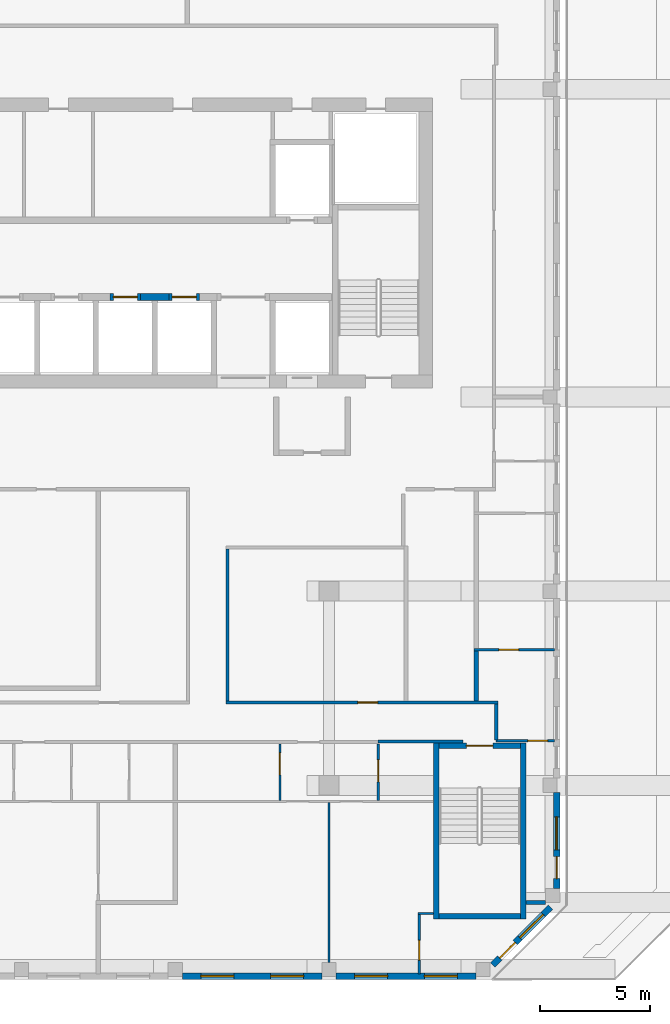
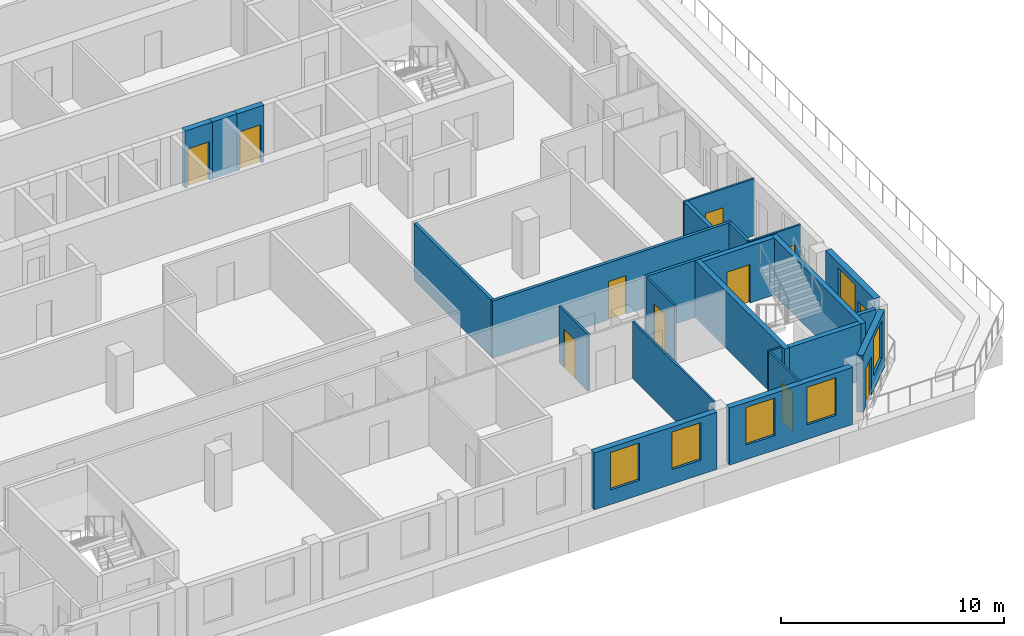
# One storey, part 5 of 13: 24 walls, 11 doors, 6 windows, 17 openings.
"""IFC4 building model written with IfcOpenShell, lengths in metres."""

from ifc_helpers import new_model, si_unit, direction, frame, frame_2d, origin, place, context, subcontext, project, spatial, rectangle, extrude, source, transform, mapped, material, layer, layer_set, type_object, element, fill, save


model = new_model("IFC4")

# Units and contexts
model_context = context("Model", 3, precision=1e-05, world=origin(), true_north=direction((0.0, 1.0)))
body_context = subcontext(model_context, "Body", "Model", "MODEL_VIEW")
ifc_project = project(units=[si_unit("LENGTHUNIT", "METRE"), si_unit("AREAUNIT", "SQUARE_METRE"), si_unit("VOLUMEUNIT", "CUBIC_METRE"), si_unit("PLANEANGLEUNIT", "RADIAN"), si_unit("MASSUNIT", "GRAM", prefix="KILO")], contexts=[model_context])

# Site, building, storey
site_placement = place(None, origin())
site = spatial("IfcSite", under=ifc_project, at=site_placement, CompositionType="ELEMENT")
building_placement = place(site_placement, origin())
building = spatial("IfcBuilding", under=site, at=building_placement, Name="Kilnfold Tower and Market Hall", CompositionType="ELEMENT")
storey_placement = place(building_placement, frame((0.0, 0.0, 267.0)))
storey = spatial("IfcBuildingStorey", under=building, at=storey_placement, Name="L65", CompositionType="ELEMENT", Elevation=267.0)

# Walls
ifc_material_1 = material(Name="Gypsum board on steel studs", Category="steel")
ifc_layer_1 = layer(ifc_material_1, 0.14990234375)
ifc_layer_set_1 = layer_set([ifc_layer_1], Name="Gypsum board on steel studs")
wall_type_1 = type_object("IfcWallType", Name="WALL CORRIDOR 150", PredefinedType="PARTITIONING", material=ifc_layer_set_1)
wall_1_placement = place(storey_placement, frame((15.22998046875, -7.669921875, 0.0), z_axis=(0.0, 0.0, 1.0), x_axis=(1.0, 0.0, 0.0)))
element("IfcWall", 1, at=wall_1_placement, inside=storey, type_object=wall_type_1, Name="Partition LY41.16", PredefinedType="PARTITIONING", context=body_context, shape_type="SweptSolid", body=[
    extrude(rectangle(XDim=3.8701171875, YDim=0.14990234375, at=frame_2d((1.93505859375, 0.0))), origin(), (0.0, 0.0, 1.0), 3.1201171875),
])
wall_2_placement = place(storey_placement, frame((20.60009765625, -7.60009765625, 0.0), z_axis=(0.0, 0.0, 1.0), x_axis=(0.0, 1.0, 0.0)))
element("IfcWall", 2, at=wall_2_placement, inside=storey, type_object=wall_type_1, Name="Partition LY41.17", PredefinedType="PARTITIONING", context=body_context, shape_type="SweptSolid", body=[
    extrude(rectangle(XDim=1.625, YDim=0.14990234375, at=frame_2d((0.8125, 0.0))), origin(), (0.0, 0.0, 1.0), 3.1201171875),
])
wall_3_placement = place(storey_placement, frame((8.3798828125, -5.824951171875, 0.0), z_axis=(0.0, 0.0, 1.0), x_axis=(0.0, 1.0, 0.0)))
element("IfcWall", 3, at=wall_3_placement, inside=storey, type_object=wall_type_1, Name="Partition LY41.34", PredefinedType="PARTITIONING", context=body_context, shape_type="SweptSolid", body=[
    extrude(rectangle(XDim=6.89990234375, YDim=0.14990234375, at=frame_2d((3.449951171875, 0.0))), origin(), (0.0, 0.0, 1.0), 3.1201171875),
])

# Wall, opening, door
wall_4_placement = place(storey_placement, frame((8.304931640625, -5.89990234375, 0.0), z_axis=(0.0, 0.0, 1.0), x_axis=(1.0, 0.0, 0.0)))
wall_4 = element("IfcWall", 4, at=wall_4_placement, inside=storey, type_object=wall_type_1, Name="Partition LY41.35", PredefinedType="PARTITIONING", context=body_context, shape_type="SweptSolid", body=[
    extrude(rectangle(XDim=12.3701171875, YDim=0.14990234375, at=frame_2d((6.18505859375, 0.0))), origin(), (0.0, 0.0, 1.0), 3.1201171875),
])
opening_1_placement = place(wall_4_placement, frame((6.00390625, 0.0, 0.0)))
opening_1 = element("IfcOpeningElement", 5, at=opening_1_placement, cuts=wall_4, Name="Opening D2", PredefinedType="OPENING", context=body_context, shape_type="SweptSolid", body=[
    extrude(rectangle(XDim=0.89990234375, YDim=2.10009765625, at=frame_2d((0.449951171875, 1.050048828125))), frame((0.0, 0.0849609375, 0.0), z_axis=(0.0, -1.0, 0.0), x_axis=(1.0, 0.0, 0.0)), (0.0, 0.0, 1.0), 0.169921875),
])
ifc_material_2 = material(Name="Timber veneer door leaf in steel frame", Category="steel")
door_type_1 = type_object("IfcDoorType", Name="DOOR ROOM 900 X2100", OperationType="NOTDEFINED", PredefinedType="DOOR", material=ifc_material_2)
door_1_placement = place(opening_1_placement, origin())
door_1 = element("IfcDoor", 6, at=door_1_placement, inside=storey, type_object=door_type_1, Name="Door D2", OperationType="SINGLE_SWING_RIGHT", OverallHeight=2.10009765625, OverallWidth=0.89990234375, PredefinedType="DOOR", context=body_context, shape_type="SweptSolid", body=[
    extrude(rectangle(XDim=0.89990234375, YDim=2.10009765625, at=frame_2d((0.449951171875, 1.050048828125))), frame((0.0, 0.02490234375, 0.0), z_axis=(0.0, -1.0, 0.0), x_axis=(1.0, 0.0, 0.0)), (0.0, 0.0, 1.0), 0.050048828125),
])
fill(opening_1, door_1)

ifc_material_3 = material(Name="Gypsum board on steel studs", Category="steel")
ifc_layer_2 = layer(ifc_material_3, 0.10009765625)
ifc_layer_set_2 = layer_set([ifc_layer_2], Name="Gypsum board on steel studs")
wall_type_2 = type_object("IfcWallType", Name="WALL PARTITION 100", PredefinedType="PARTITIONING", material=ifc_layer_set_2)
wall_5_placement = place(storey_placement, frame((10.760009765625, -10.35009765625, 0.0), z_axis=(0.0, 0.0, 1.0), x_axis=(0.0, 1.0, 0.0)))
wall_5 = element("IfcWall", 7, at=wall_5_placement, inside=storey, type_object=wall_type_2, Name="Partition LY41.66", PredefinedType="PARTITIONING", context=body_context, shape_type="SweptSolid", body=[
    extrude(rectangle(XDim=2.572998046875, YDim=0.10009765625, at=frame_2d((1.28662109375, 0.0))), origin(), (0.0, 0.0, 1.0), 3.1201171875),
])
opening_2_placement = place(wall_5_placement, frame((1.159912109375, 0.0, 0.0)))
opening_2 = element("IfcOpeningElement", 8, at=opening_2_placement, cuts=wall_5, Name="Opening D1", PredefinedType="OPENING", context=body_context, shape_type="SweptSolid", body=[
    extrude(rectangle(XDim=1.0, YDim=2.10009765625, at=frame_2d((0.5, 1.050048828125))), frame((0.0, 0.06005859375, 0.0), z_axis=(0.0, -1.0, 0.0), x_axis=(1.0, 0.0, 0.0)), (0.0, 0.0, 1.0), 0.1201171875),
])
ifc_material_4 = material(Name="Timber veneer door leaf in steel frame", Category="steel")
door_type_2 = type_object("IfcDoorType", Name="DOOR ENTRY 1000 X2100", OperationType="NOTDEFINED", PredefinedType="DOOR", material=ifc_material_4)
door_2_placement = place(opening_2_placement, origin())
door_2 = element("IfcDoor", 9, at=door_2_placement, inside=storey, type_object=door_type_2, Name="Door D1", OperationType="SINGLE_SWING_LEFT", OverallHeight=2.10009765625, OverallWidth=1.0, PredefinedType="DOOR", context=body_context, shape_type="SweptSolid", body=[
    extrude(rectangle(XDim=1.0, YDim=2.10009765625, at=frame_2d((0.5, 1.050048828125))), frame((0.0, 0.02490234375, 0.0), z_axis=(0.0, -1.0, 0.0), x_axis=(1.0, 0.0, 0.0)), (0.0, 0.0, 1.0), 0.050048828125),
])
fill(opening_2, door_2)

wall_6_placement = place(storey_placement, frame((15.239990234375, -10.35009765625, 0.0), z_axis=(0.0, 0.0, 1.0), x_axis=(0.0, 1.0, 0.0)))
wall_6 = element("IfcWall", 10, at=wall_6_placement, inside=storey, type_object=wall_type_2, Name="Partition LY41.67", PredefinedType="PARTITIONING", context=body_context, shape_type="SweptSolid", body=[
    extrude(rectangle(XDim=2.572998046875, YDim=0.10009765625, at=frame_2d((1.28662109375, 0.0))), origin(), (0.0, 0.0, 1.0), 3.1201171875),
])
opening_3_placement = place(wall_6_placement, frame((0.840087890625, 0.0, 0.0)))
opening_3 = element("IfcOpeningElement", 11, at=opening_3_placement, cuts=wall_6, Name="Opening D1", PredefinedType="OPENING", context=body_context, shape_type="SweptSolid", body=[
    extrude(rectangle(XDim=1.0, YDim=2.10009765625, at=frame_2d((0.5, 1.050048828125))), frame((0.0, 0.06005859375, 0.0), z_axis=(0.0, -1.0, 0.0), x_axis=(1.0, 0.0, 0.0)), (0.0, 0.0, 1.0), 0.1201171875),
])
door_3_placement = place(opening_3_placement, origin())
door_3 = element("IfcDoor", 12, at=door_3_placement, inside=storey, type_object=door_type_2, Name="Door D1", OperationType="SINGLE_SWING_LEFT", OverallHeight=2.10009765625, OverallWidth=1.0, PredefinedType="DOOR", context=body_context, shape_type="SweptSolid", body=[
    extrude(rectangle(XDim=1.0, YDim=2.10009765625, at=frame_2d((0.5, 1.050048828125))), frame((0.0, 0.02490234375, 0.0), z_axis=(0.0, -1.0, 0.0), x_axis=(1.0, 0.0, 0.0)), (0.0, 0.0, 1.0), 0.050048828125),
])
fill(opening_3, door_3)

# Walls
wall_7_placement = place(storey_placement, frame((13.0, -17.72509765625, 0.0), z_axis=(0.0, 0.0, 1.0), x_axis=(0.0, 1.0, 0.0)))
element("IfcWall", 13, at=wall_7_placement, inside=storey, type_object=wall_type_2, Name="Partition LY41.68", PredefinedType="PARTITIONING", context=body_context, shape_type="SweptSolid", body=[
    extrude(rectangle(XDim=7.273193359375, YDim=0.10009765625, at=frame_2d((3.63671875, 0.0))), origin(), (0.0, 0.0, 1.0), 3.1201171875),
])
wall_8_placement = place(storey_placement, frame((17.050048828125, -15.5, 0.0), z_axis=(0.0, 0.0, 1.0), x_axis=(1.0, 0.0, 0.0)))
element("IfcWall", 14, at=wall_8_placement, inside=storey, type_object=wall_type_2, Name="Partition LY41.69", PredefinedType="PARTITIONING", context=body_context, shape_type="SweptSolid", body=[
    extrude(rectangle(XDim=0.699951171875, YDim=0.10009765625, at=frame_2d((0.35009765625, 0.0))), origin(), (0.0, 0.0, 1.0), 3.1201171875),
])

# Wall, opening, door
wall_9_placement = place(storey_placement, frame((17.10009765625, -18.25, 0.0), z_axis=(0.0, 0.0, 1.0), x_axis=(0.0, 1.0, 0.0)))
wall_9 = element("IfcWall", 15, at=wall_9_placement, inside=storey, type_object=wall_type_2, Name="Partition LY41.70", PredefinedType="PARTITIONING", context=body_context, shape_type="SweptSolid", body=[
    extrude(rectangle(XDim=2.699951171875, YDim=0.10009765625, at=frame_2d((1.35009765625, 0.0))), origin(), (0.0, 0.0, 1.0), 3.1201171875),
])
opening_4_placement = place(wall_9_placement, frame((0.631103515625, 0.0, 0.0)))
opening_4 = element("IfcOpeningElement", 16, at=opening_4_placement, cuts=wall_9, Name="Opening D2", PredefinedType="OPENING", context=body_context, shape_type="SweptSolid", body=[
    extrude(rectangle(XDim=0.89990234375, YDim=2.10009765625, at=frame_2d((0.449951171875, 1.050048828125))), frame((0.0, 0.06005859375, 0.0), z_axis=(0.0, -1.0, 0.0), x_axis=(1.0, 0.0, 0.0)), (0.0, 0.0, 1.0), 0.1201171875),
])
door_4_placement = place(opening_4_placement, origin())
door_4 = element("IfcDoor", 17, at=door_4_placement, inside=storey, type_object=door_type_1, Name="Door D2", OperationType="SINGLE_SWING_LEFT", OverallHeight=2.10009765625, OverallWidth=0.89990234375, PredefinedType="DOOR", context=body_context, shape_type="SweptSolid", body=[
    extrude(rectangle(XDim=0.89990234375, YDim=2.10009765625, at=frame_2d((0.449951171875, 1.050048828125))), frame((0.0, 0.02490234375, 0.0), z_axis=(0.0, -1.0, 0.0), x_axis=(1.0, 0.0, 0.0)), (0.0, 0.0, 1.0), 0.050048828125),
])
fill(opening_4, door_4)

wall_10_placement = place(storey_placement, frame((23.25, -7.639892578125, 0.0), z_axis=(0.0, 0.0, 1.0), x_axis=(-1.0, 0.0, 0.0)))
wall_10 = element("IfcWall", 18, at=wall_10_placement, inside=storey, type_object=wall_type_2, Name="Partition LY41.72", PredefinedType="PARTITIONING", context=body_context, shape_type="SweptSolid", body=[
    extrude(rectangle(XDim=2.64990234375, YDim=0.10009765625, at=frame_2d((1.324951171875, 0.0))), origin(), (0.0, 0.0, 1.0), 3.1201171875),
])
opening_5_placement = place(wall_10_placement, frame((0.303955078125, 0.0, 0.0)))
opening_5 = element("IfcOpeningElement", 19, at=opening_5_placement, cuts=wall_10, Name="Opening D2", PredefinedType="OPENING", context=body_context, shape_type="SweptSolid", body=[
    extrude(rectangle(XDim=0.89990234375, YDim=2.10009765625, at=frame_2d((0.449951171875, 1.050048828125))), frame((0.0, 0.06005859375, 0.0), z_axis=(0.0, -1.0, 0.0), x_axis=(1.0, 0.0, 0.0)), (0.0, 0.0, 1.0), 0.1201171875),
])
door_5_placement = place(opening_5_placement, origin())
door_5 = element("IfcDoor", 20, at=door_5_placement, inside=storey, type_object=door_type_1, Name="Door D2", OperationType="SINGLE_SWING_LEFT", OverallHeight=2.10009765625, OverallWidth=0.89990234375, PredefinedType="DOOR", context=body_context, shape_type="SweptSolid", body=[
    extrude(rectangle(XDim=0.89990234375, YDim=2.10009765625, at=frame_2d((0.449951171875, 1.050048828125))), frame((0.0, 0.02490234375, 0.0), z_axis=(0.0, -1.0, 0.0), x_axis=(1.0, 0.0, 0.0)), (0.0, 0.0, 1.0), 0.050048828125),
])
fill(opening_5, door_5)

wall_11_placement = place(storey_placement, frame((23.25, -3.5, 0.0), z_axis=(0.0, 0.0, 1.0), x_axis=(-1.0, 0.0, 0.0)))
wall_11 = element("IfcWall", 21, at=wall_11_placement, inside=storey, type_object=wall_type_2, Name="Partition LY41.73", PredefinedType="PARTITIONING", context=body_context, shape_type="SweptSolid", body=[
    extrude(rectangle(XDim=3.64990234375, YDim=0.10009765625, at=frame_2d((1.824951171875, 0.0))), origin(), (0.0, 0.0, 1.0), 3.1201171875),
])
opening_6_placement = place(wall_11_placement, frame((1.6298828125, 0.0, 0.0)))
opening_6 = element("IfcOpeningElement", 22, at=opening_6_placement, cuts=wall_11, Name="Opening D2", PredefinedType="OPENING", context=body_context, shape_type="SweptSolid", body=[
    extrude(rectangle(XDim=0.89990234375, YDim=2.10009765625, at=frame_2d((0.449951171875, 1.050048828125))), frame((0.0, 0.06005859375, 0.0), z_axis=(0.0, -1.0, 0.0), x_axis=(1.0, 0.0, 0.0)), (0.0, 0.0, 1.0), 0.1201171875),
])
door_6_placement = place(opening_6_placement, origin())
door_6 = element("IfcDoor", 23, at=door_6_placement, inside=storey, type_object=door_type_1, Name="Door D2", OperationType="SINGLE_SWING_RIGHT", OverallHeight=2.10009765625, OverallWidth=0.89990234375, PredefinedType="DOOR", context=body_context, shape_type="SweptSolid", body=[
    extrude(rectangle(XDim=0.89990234375, YDim=2.10009765625, at=frame_2d((0.449951171875, 1.050048828125))), frame((0.0, 0.02490234375, 0.0), z_axis=(0.0, -1.0, 0.0), x_axis=(1.0, 0.0, 0.0)), (0.0, 0.0, 1.0), 0.050048828125),
])
fill(opening_6, door_6)

# Walls
ifc_material_5 = material(Name="Gypsum board on steel studs", Category="steel")
ifc_layer_3 = layer(ifc_material_5, 0.199951171875)
ifc_layer_set_3 = layer_set([ifc_layer_3], Name="Gypsum board on steel studs")
wall_type_3 = type_object("IfcWallType", Name="WALL PARTY 200", PredefinedType="PARTITIONING", material=ifc_layer_set_3)
wall_12_placement = place(storey_placement, frame((21.949951171875, -15.0, 0.0), z_axis=(0.0, 0.0, 1.0), x_axis=(1.0, 0.0, 0.0)))
element("IfcWall", 24, at=wall_12_placement, inside=storey, type_object=wall_type_3, Name="Partition LY41.71", PredefinedType="PARTITIONING", context=body_context, shape_type="SweptSolid", body=[
    extrude(rectangle(XDim=0.906982421875, YDim=0.199951171875, at=frame_2d((0.45361328125, 0.0))), origin(), (0.0, 0.0, 1.0), 3.1201171875),
])
wall_13_placement = place(storey_placement, frame((19.699951171875, -5.822998046875, 0.0), z_axis=(0.0, 0.0, 1.0), x_axis=(0.0, 1.0, 0.0)))
element("IfcWall", 25, at=wall_13_placement, inside=storey, type_object=wall_type_3, Name="Partition LY41.74", PredefinedType="PARTITIONING", context=body_context, shape_type="SweptSolid", body=[
    extrude(rectangle(XDim=2.27294921875, YDim=0.199951171875, at=frame_2d((1.136474609375, 0.0))), origin(), (0.0, 0.0, 1.0), 3.1201171875),
])
ifc_material_6 = material(Name="Concrete C50", Category="concrete")
ifc_layer_4 = layer(ifc_material_6, 0.25)
ifc_layer_set_4 = layer_set([ifc_layer_4], Name="Concrete C50")
wall_type_4 = type_object("IfcWallType", Name="CORE WALL 250 C50", PredefinedType="SHEAR", material=ifc_layer_set_4)
shared_shape_1 = source(origin(), body_context, "Body", "SweptSolid", [
    extrude(rectangle(XDim=3.699951171875, YDim=0.25, at=frame_2d((1.85009765625, 0.0))), origin(), (0.0, 0.0, 1.0), 3.1201171875),
])
wall_14_placement = place(storey_placement, frame((18.0, -15.625, 0.0), z_axis=(0.0, 0.0, 1.0), x_axis=(1.0, 0.0, 0.0)))
element("IfcWall", 26, at=wall_14_placement, inside=storey, type_object=wall_type_4, Name="Stair enclosure ST4", PredefinedType="SHEAR", context=body_context, shape_type="MappedRepresentation", body=[
    mapped(shared_shape_1, transform((0.0, 0.0, 0.0))),
])

# Wall, opening, door
wall_15_placement = place(storey_placement, frame((18.0, -7.875, 0.0), z_axis=(0.0, 0.0, 1.0), x_axis=(1.0, 0.0, 0.0)))
wall_15 = element("IfcWall", 27, at=wall_15_placement, inside=storey, type_object=wall_type_4, Name="Stair enclosure ST4", PredefinedType="SHEAR", context=body_context, shape_type="MappedRepresentation", body=[
    mapped(shared_shape_1, transform((0.0, 0.0, 0.0))),
])
opening_7_placement = place(wall_15_placement, frame((1.25, 0.0, 0.0)))
opening_7 = element("IfcOpeningElement", 28, at=opening_7_placement, cuts=wall_15, Name="Opening SD1", PredefinedType="OPENING", context=body_context, shape_type="SweptSolid", body=[
    extrude(rectangle(XDim=1.199951171875, YDim=2.10009765625, at=frame_2d((0.60009765625, 1.050048828125))), frame((0.0, 0.135009765625, 0.0), z_axis=(0.0, -1.0, 0.0), x_axis=(1.0, 0.0, 0.0)), (0.0, 0.0, 1.0), 0.27001953125),
])
ifc_material_7 = material(Name="Steel door set with fire-resisting leaf", Category="steel")
door_type_3 = type_object("IfcDoorType", Name="STAIR FLOOR DOOR 1200X2100", OperationType="NOTDEFINED", PredefinedType="DOOR", material=ifc_material_7)
door_7_placement = place(opening_7_placement, origin())
door_7 = element("IfcDoor", 29, at=door_7_placement, inside=storey, type_object=door_type_3, Name="Exit stair ST4 door", OperationType="DOUBLE_DOOR_SINGLE_SWING", OverallHeight=2.10009765625, OverallWidth=1.199951171875, PredefinedType="DOOR", context=body_context, shape_type="SweptSolid", body=[
    extrude(rectangle(XDim=1.199951171875, YDim=2.10009765625, at=frame_2d((0.60009765625, 1.050048828125))), frame((0.0, 0.02490234375, 0.0), z_axis=(0.0, -1.0, 0.0), x_axis=(1.0, 0.0, 0.0)), (0.0, 0.0, 1.0), 0.050048828125),
])
fill(opening_7, door_7)

# Walls
shared_shape_2 = source(origin(), body_context, "Body", "SweptSolid", [
    extrude(rectangle(XDim=8.0, YDim=0.25, at=frame_2d((4.0, 0.0))), origin(), (0.0, 0.0, 1.0), 3.1201171875),
])
for number, where, z_axis, x_axis, name in (
    (30, (17.875, -15.75, 0.0), (0.0, 0.0, 1.0), (0.0, 1.0, 0.0), "Stair enclosure ST4"),
    (31, (21.824951171875, -15.75, 0.0), (0.0, 0.0, 1.0), (0.0, 1.0, 0.0), "Stair enclosure ST4"),
):
    element("IfcWall", number, at=place(storey_placement, frame(where, z_axis=z_axis, x_axis=x_axis)), inside=storey, type_object=wall_type_4, Name=name, PredefinedType="SHEAR", context=body_context, shape_type="MappedRepresentation", body=[
        mapped(shared_shape_2, transform((0.0, 0.0, 0.0))),
    ])
ifc_material_8 = material(Name="Concrete C50", Category="concrete")
ifc_layer_5 = layer(ifc_material_8, 0.300048828125)
ifc_layer_set_5 = layer_set([ifc_layer_5], Name="Concrete C50")
wall_type_5 = type_object("IfcWallType", Name="CORE WALL 300 C50", PredefinedType="SHEAR", material=ifc_layer_set_5)
shared_shape_3 = source(origin(), body_context, "Body", "SweptSolid", [
    extrude(rectangle(XDim=1.280029296875, YDim=0.300048828125, at=frame_2d((0.64013671875, 0.0))), origin(), (0.0, 0.0, 1.0), 3.1201171875),
])
wall_16_placement = place(storey_placement, frame((4.429931640625, 12.550048828125, 0.0), z_axis=(0.0, 0.0, 1.0), x_axis=(1.0, 0.0, 0.0)))
element("IfcWall", 32, at=wall_16_placement, inside=storey, type_object=wall_type_5, Name="Core spine wall", PredefinedType="SHEAR", context=body_context, shape_type="MappedRepresentation", body=[
    mapped(shared_shape_3, transform((0.0, 0.0, 0.0))),
])

# Wall, openings, windows
ifc_material_9 = material(Name="Precast concrete C50/60", Category="concrete")
ifc_layer_6 = layer(ifc_material_9, 0.300048828125)
ifc_layer_set_6 = layer_set([ifc_layer_6], Name="Precast concrete C50/60")
wall_type_6 = type_object("IfcWallType", Name="PRECAST WALL 300", PredefinedType="SOLIDWALL", material=ifc_layer_set_6)
shared_shape_4 = source(origin(), body_context, "Body", "SweptSolid", [
    extrude(rectangle(XDim=6.35009765625, YDim=0.300048828125, at=frame_2d((3.175048828125, 0.0))), origin(), (0.0, 0.0, 1.0), 3.1201171875),
])
wall_17_placement = place(storey_placement, frame((6.324951171875, -18.35009765625, 0.0), z_axis=(0.0, 0.0, 1.0), x_axis=(1.0, 0.0, 0.0)))
wall_17 = element("IfcWall", 33, at=wall_17_placement, inside=storey, type_object=wall_type_6, Name="External wall L65 S", PredefinedType="SOLIDWALL", context=body_context, shape_type="MappedRepresentation", body=[
    mapped(shared_shape_4, transform((0.0, 0.0, 0.0))),
])
opening_8_placement = place(wall_17_placement, frame((0.83740234375, 0.0, 0.800048828125)))
opening_8 = element("IfcOpeningElement", 34, at=opening_8_placement, cuts=wall_17, Name="Opening W5", PredefinedType="OPENING", context=body_context, shape_type="SweptSolid", body=[
    extrude(rectangle(XDim=1.5, YDim=2.050048828125, at=frame_2d((0.75, 1.02490234375))), frame((0.0, 0.16015625, 0.0), z_axis=(0.0, -1.0, 0.0), x_axis=(1.0, 0.0, 0.0)), (0.0, 0.0, 1.0), 0.320068359375),
])
opening_9_placement = place(wall_17_placement, frame((4.012451171875, 0.0, 0.800048828125)))
opening_9 = element("IfcOpeningElement", 35, at=opening_9_placement, cuts=wall_17, Name="Opening W5", PredefinedType="OPENING", context=body_context, shape_type="SweptSolid", body=[
    extrude(rectangle(XDim=1.5, YDim=2.050048828125, at=frame_2d((0.75, 1.02490234375))), frame((0.0, 0.16015625, 0.0), z_axis=(0.0, -1.0, 0.0), x_axis=(1.0, 0.0, 0.0)), (0.0, 0.0, 1.0), 0.320068359375),
])
ifc_material_10 = material(Name="Aluminium frame and double glazing", Category="aluminium")
window_type = type_object("IfcWindowType", Name="WINDOW W5 1500X2050", PartitioningType="SINGLE_PANEL", PredefinedType="WINDOW", material=ifc_material_10)
window_1_placement = place(opening_8_placement, origin())
window_1 = element("IfcWindow", 36, at=window_1_placement, inside=storey, type_object=window_type, Name="Window W5 L65 S-1", OverallHeight=2.050048828125, OverallWidth=1.5, PartitioningType="SINGLE_PANEL", PredefinedType="WINDOW", context=body_context, shape_type="SweptSolid", body=[
    extrude(rectangle(XDim=1.5, YDim=2.050048828125, at=frame_2d((0.75, 1.02490234375))), frame((0.0, 0.030029296875, 0.0), z_axis=(0.0, -1.0, 0.0), x_axis=(1.0, 0.0, 0.0)), (0.0, 0.0, 1.0), 0.06005859375),
])
fill(opening_8, window_1)
window_2_placement = place(opening_9_placement, origin())
window_2 = element("IfcWindow", 37, at=window_2_placement, inside=storey, type_object=window_type, Name="Window W5 L65 S-2", OverallHeight=2.050048828125, OverallWidth=1.5, PartitioningType="SINGLE_PANEL", PredefinedType="WINDOW", context=body_context, shape_type="SweptSolid", body=[
    extrude(rectangle(XDim=1.5, YDim=2.050048828125, at=frame_2d((0.75, 1.02490234375))), frame((0.0, 0.030029296875, 0.0), z_axis=(0.0, -1.0, 0.0), x_axis=(1.0, 0.0, 0.0)), (0.0, 0.0, 1.0), 0.06005859375),
])
fill(opening_9, window_2)

wall_18_placement = place(storey_placement, frame((13.324951171875, -18.35009765625, 0.0), z_axis=(0.0, 0.0, 1.0), x_axis=(1.0, 0.0, 0.0)))
wall_18 = element("IfcWall", 38, at=wall_18_placement, inside=storey, type_object=wall_type_6, Name="External wall L65 S", PredefinedType="SOLIDWALL", context=body_context, shape_type="MappedRepresentation", body=[
    mapped(shared_shape_4, transform((0.0, 0.0, 0.0))),
])
opening_10_placement = place(wall_18_placement, frame((0.83740234375, 0.0, 0.800048828125)))
opening_10 = element("IfcOpeningElement", 39, at=opening_10_placement, cuts=wall_18, Name="Opening W5", PredefinedType="OPENING", context=body_context, shape_type="SweptSolid", body=[
    extrude(rectangle(XDim=1.5, YDim=2.050048828125, at=frame_2d((0.75, 1.02490234375))), frame((0.0, 0.16015625, 0.0), z_axis=(0.0, -1.0, 0.0), x_axis=(1.0, 0.0, 0.0)), (0.0, 0.0, 1.0), 0.320068359375),
])
opening_11_placement = place(wall_18_placement, frame((4.012451171875, 0.0, 0.800048828125)))
opening_11 = element("IfcOpeningElement", 40, at=opening_11_placement, cuts=wall_18, Name="Opening W5", PredefinedType="OPENING", context=body_context, shape_type="SweptSolid", body=[
    extrude(rectangle(XDim=1.5, YDim=2.050048828125, at=frame_2d((0.75, 1.02490234375))), frame((0.0, 0.16015625, 0.0), z_axis=(0.0, -1.0, 0.0), x_axis=(1.0, 0.0, 0.0)), (0.0, 0.0, 1.0), 0.320068359375),
])
window_3_placement = place(opening_10_placement, origin())
window_3 = element("IfcWindow", 41, at=window_3_placement, inside=storey, type_object=window_type, Name="Window W5 L65 S-1", OverallHeight=2.050048828125, OverallWidth=1.5, PartitioningType="SINGLE_PANEL", PredefinedType="WINDOW", context=body_context, shape_type="SweptSolid", body=[
    extrude(rectangle(XDim=1.5, YDim=2.050048828125, at=frame_2d((0.75, 1.02490234375))), frame((0.0, 0.030029296875, 0.0), z_axis=(0.0, -1.0, 0.0), x_axis=(1.0, 0.0, 0.0)), (0.0, 0.0, 1.0), 0.06005859375),
])
fill(opening_10, window_3)
window_4_placement = place(opening_11_placement, origin())
window_4 = element("IfcWindow", 42, at=window_4_placement, inside=storey, type_object=window_type, Name="Window W5 L65 S-2", OverallHeight=2.050048828125, OverallWidth=1.5, PartitioningType="SINGLE_PANEL", PredefinedType="WINDOW", context=body_context, shape_type="SweptSolid", body=[
    extrude(rectangle(XDim=1.5, YDim=2.050048828125, at=frame_2d((0.75, 1.02490234375))), frame((0.0, 0.030029296875, 0.0), z_axis=(0.0, -1.0, 0.0), x_axis=(1.0, 0.0, 0.0)), (0.0, 0.0, 1.0), 0.06005859375),
])
fill(opening_11, window_4)

# Wall, openings, door, window
shared_shape_5 = source(origin(), body_context, "Body", "SweptSolid", [
    extrude(rectangle(XDim=3.71240234375, YDim=0.300048828125, at=frame_2d((1.856201171875, 0.0))), origin(), (0.0, 0.0, 1.0), 3.1201171875),
])
wall_19_placement = place(storey_placement, frame((20.44384765625, -17.843994140625, 0.0), z_axis=(0.0, 0.0, 1.0), x_axis=(0.707106781187, 0.707106781187, 0.0)))
wall_19 = element("IfcWall", 43, at=wall_19_placement, inside=storey, type_object=wall_type_6, Name="External wall L65 SE", PredefinedType="SOLIDWALL", context=body_context, shape_type="MappedRepresentation", body=[
    mapped(shared_shape_5, transform((0.0, 0.0, 0.0))),
])
opening_12_placement = place(wall_19_placement, frame((1.75, 0.0, 0.800048828125)))
opening_12 = element("IfcOpeningElement", 44, at=opening_12_placement, cuts=wall_19, Name="Opening W5", PredefinedType="OPENING", context=body_context, shape_type="SweptSolid", body=[
    extrude(rectangle(XDim=1.5, YDim=2.050048828125, at=frame_2d((0.75, 1.02490234375))), frame((0.0, 0.16015625, 0.0), z_axis=(0.0, -1.0, 0.0), x_axis=(1.0, 0.0, 0.0)), (0.0, 0.0, 1.0), 0.320068359375),
])
opening_13_placement = place(wall_19_placement, frame((0.449951171875, 0.0, 0.0)))
opening_13 = element("IfcOpeningElement", 45, at=opening_13_placement, cuts=wall_19, Name="Opening BD1", PredefinedType="OPENING", context=body_context, shape_type="SweptSolid", body=[
    extrude(rectangle(XDim=1.0, YDim=2.10009765625, at=frame_2d((0.5, 1.050048828125))), frame((0.0, 0.16015625, 0.0), z_axis=(0.0, -1.0, 0.0), x_axis=(1.0, 0.0, 0.0)), (0.0, 0.0, 1.0), 0.320068359375),
])
ifc_material_11 = material(Name="Aluminium frame and double glazing", Category="aluminium")
door_type_4 = type_object("IfcDoorType", Name="BALCONY DOOR 1000X2100", OperationType="NOTDEFINED", PredefinedType="DOOR", material=ifc_material_11)
door_8_placement = place(opening_13_placement, origin())
door_8 = element("IfcDoor", 46, at=door_8_placement, inside=storey, type_object=door_type_4, Name="Balcony door BD1 L65 SE-1", OperationType="SINGLE_SWING_LEFT", OverallHeight=2.10009765625, OverallWidth=1.0, PredefinedType="DOOR", context=body_context, shape_type="SweptSolid", body=[
    extrude(rectangle(XDim=1.0, YDim=2.10009765625, at=frame_2d((0.5, 1.050048828125))), frame((0.0, 0.02490234375, 0.0), z_axis=(0.0, -1.0, 0.0), x_axis=(1.0, 0.0, 0.0)), (0.0, 0.0, 1.0), 0.050048828125),
])
fill(opening_13, door_8)
window_5_placement = place(opening_12_placement, origin())
window_5 = element("IfcWindow", 47, at=window_5_placement, inside=storey, type_object=window_type, Name="Window W5 L65 SE-1", OverallHeight=2.050048828125, OverallWidth=1.5, PartitioningType="SINGLE_PANEL", PredefinedType="WINDOW", context=body_context, shape_type="SweptSolid", body=[
    extrude(rectangle(XDim=1.5, YDim=2.050048828125, at=frame_2d((0.75, 1.02490234375))), frame((0.0, 0.030029296875, 0.0), z_axis=(0.0, -1.0, 0.0), x_axis=(1.0, 0.0, 0.0)), (0.0, 0.0, 1.0), 0.06005859375),
])
fill(opening_12, window_5)

shared_shape_6 = source(origin(), body_context, "Body", "SweptSolid", [
    extrude(rectangle(XDim=4.364990234375, YDim=0.300048828125, at=frame_2d((2.1826171875, 0.0))), origin(), (0.0, 0.0, 1.0), 3.1201171875),
])
wall_20_placement = place(storey_placement, frame((23.35009765625, -14.356689453125, 0.0), z_axis=(0.0, 0.0, 1.0), x_axis=(0.0, 1.0, 0.0)))
wall_20 = element("IfcWall", 48, at=wall_20_placement, inside=storey, type_object=wall_type_6, Name="External wall L65 E", PredefinedType="SOLIDWALL", context=body_context, shape_type="MappedRepresentation", body=[
    mapped(shared_shape_6, transform((0.0, 0.0, 0.0))),
])
opening_14_placement = place(wall_20_placement, frame((1.75, 0.0, 0.800048828125)))
opening_14 = element("IfcOpeningElement", 49, at=opening_14_placement, cuts=wall_20, Name="Opening W5", PredefinedType="OPENING", context=body_context, shape_type="SweptSolid", body=[
    extrude(rectangle(XDim=1.5, YDim=2.050048828125, at=frame_2d((0.75, 1.02490234375))), frame((0.0, 0.16015625, 0.0), z_axis=(0.0, -1.0, 0.0), x_axis=(1.0, 0.0, 0.0)), (0.0, 0.0, 1.0), 0.320068359375),
])
opening_15_placement = place(wall_20_placement, frame((0.449951171875, 0.0, 0.0)))
opening_15 = element("IfcOpeningElement", 50, at=opening_15_placement, cuts=wall_20, Name="Opening BD1", PredefinedType="OPENING", context=body_context, shape_type="SweptSolid", body=[
    extrude(rectangle(XDim=1.0, YDim=2.10009765625, at=frame_2d((0.5, 1.050048828125))), frame((0.0, 0.16015625, 0.0), z_axis=(0.0, -1.0, 0.0), x_axis=(1.0, 0.0, 0.0)), (0.0, 0.0, 1.0), 0.320068359375),
])
door_9_placement = place(opening_15_placement, origin())
door_9 = element("IfcDoor", 51, at=door_9_placement, inside=storey, type_object=door_type_4, Name="Balcony door BD1 L65 E-1", OperationType="SINGLE_SWING_LEFT", OverallHeight=2.10009765625, OverallWidth=1.0, PredefinedType="DOOR", context=body_context, shape_type="SweptSolid", body=[
    extrude(rectangle(XDim=1.0, YDim=2.10009765625, at=frame_2d((0.5, 1.050048828125))), frame((0.0, 0.02490234375, 0.0), z_axis=(0.0, -1.0, 0.0), x_axis=(1.0, 0.0, 0.0)), (0.0, 0.0, 1.0), 0.050048828125),
])
fill(opening_15, door_9)
window_6_placement = place(opening_14_placement, origin())
window_6 = element("IfcWindow", 52, at=window_6_placement, inside=storey, type_object=window_type, Name="Window W5 L65 E-1", OverallHeight=2.050048828125, OverallWidth=1.5, PartitioningType="SINGLE_PANEL", PredefinedType="WINDOW", context=body_context, shape_type="SweptSolid", body=[
    extrude(rectangle(XDim=1.5, YDim=2.050048828125, at=frame_2d((0.75, 1.02490234375))), frame((0.0, 0.030029296875, 0.0), z_axis=(0.0, -1.0, 0.0), x_axis=(1.0, 0.0, 0.0)), (0.0, 0.0, 1.0), 0.06005859375),
])
fill(opening_14, window_6)

# Wall, opening, door
ifc_material_12 = material(Name="Gypsum shaft wall system")
ifc_layer_7 = layer(ifc_material_12, 0.300048828125)
ifc_layer_set_7 = layer_set([ifc_layer_7], Name="Gypsum shaft wall system")
wall_type_7 = type_object("IfcWallType", Name="SHAFT WALL 300", PredefinedType="PARTITIONING", material=ifc_layer_set_7)
shared_shape_7 = source(origin(), body_context, "Body", "SweptSolid", [
    extrude(rectangle(XDim=1.39990234375, YDim=0.300048828125, at=frame_2d((0.699951171875, 0.0))), origin(), (0.0, 0.0, 1.0), 3.1201171875),
])
wall_21_placement = place(storey_placement, frame((3.030029296875, 12.550048828125, 0.0), z_axis=(0.0, 0.0, 1.0), x_axis=(1.0, 0.0, 0.0)))
wall_21 = element("IfcWall", 53, at=wall_21_placement, inside=storey, type_object=wall_type_7, Name="Lift shaft front wall", PredefinedType="PARTITIONING", context=body_context, shape_type="MappedRepresentation", body=[
    mapped(shared_shape_7, transform((0.0, 0.0, 0.0))),
])
opening_16_placement = place(wall_21_placement, frame((0.14990234375, 0.0, 0.0)))
opening_16 = element("IfcOpeningElement", 54, at=opening_16_placement, cuts=wall_21, Name="Opening LD2", PredefinedType="OPENING", context=body_context, shape_type="SweptSolid", body=[
    extrude(rectangle(XDim=1.10009765625, YDim=2.10009765625, at=frame_2d((0.550048828125, 1.050048828125))), frame((0.0, 0.16015625, 0.0), z_axis=(0.0, -1.0, 0.0), x_axis=(1.0, 0.0, 0.0)), (0.0, 0.0, 1.0), 0.320068359375),
])
ifc_material_13 = material(Name="Steel door set with fire-resisting leaf", Category="steel")
door_type_5 = type_object("IfcDoorType", Name="LANDING DOOR 1100X2100", OperationType="NOTDEFINED", PredefinedType="DOOR", material=ifc_material_13)
door_10_placement = place(opening_16_placement, origin())
door_10 = element("IfcDoor", 55, at=door_10_placement, inside=storey, type_object=door_type_5, Name="Landing door HR4", OperationType="DOUBLE_DOOR_SLIDING", OverallHeight=2.10009765625, OverallWidth=1.10009765625, PredefinedType="DOOR", context=body_context, shape_type="SweptSolid", body=[
    extrude(rectangle(XDim=1.10009765625, YDim=2.10009765625, at=frame_2d((0.550048828125, 1.050048828125))), frame((0.0, 0.02490234375, 0.0), z_axis=(0.0, -1.0, 0.0), x_axis=(1.0, 0.0, 0.0)), (0.0, 0.0, 1.0), 0.050048828125),
])
fill(opening_16, door_10)

shared_shape_8 = source(origin(), body_context, "Body", "SweptSolid", [
    extrude(rectangle(XDim=1.400146484375, YDim=0.300048828125, at=frame_2d((0.7001953125, 0.0))), origin(), (0.0, 0.0, 1.0), 3.1201171875),
])
wall_22_placement = place(storey_placement, frame((5.7099609375, 12.550048828125, 0.0), z_axis=(0.0, 0.0, 1.0), x_axis=(1.0, 0.0, 0.0)))
wall_22 = element("IfcWall", 56, at=wall_22_placement, inside=storey, type_object=wall_type_7, Name="Lift shaft front wall", PredefinedType="PARTITIONING", context=body_context, shape_type="MappedRepresentation", body=[
    mapped(shared_shape_8, transform((0.0, 0.0, 0.0))),
])
opening_17_placement = place(wall_22_placement, frame((0.14990234375, 0.0, 0.0)))
opening_17 = element("IfcOpeningElement", 57, at=opening_17_placement, cuts=wall_22, Name="Opening LD2", PredefinedType="OPENING", context=body_context, shape_type="SweptSolid", body=[
    extrude(rectangle(XDim=1.10009765625, YDim=2.10009765625, at=frame_2d((0.550048828125, 1.050048828125))), frame((0.0, 0.16015625, 0.0), z_axis=(0.0, -1.0, 0.0), x_axis=(1.0, 0.0, 0.0)), (0.0, 0.0, 1.0), 0.320068359375),
])
door_11_placement = place(opening_17_placement, origin())
door_11 = element("IfcDoor", 58, at=door_11_placement, inside=storey, type_object=door_type_5, Name="Landing door HR5", OperationType="DOUBLE_DOOR_SLIDING", OverallHeight=2.10009765625, OverallWidth=1.10009765625, PredefinedType="DOOR", context=body_context, shape_type="SweptSolid", body=[
    extrude(rectangle(XDim=1.10009765625, YDim=2.10009765625, at=frame_2d((0.550048828125, 1.050048828125))), frame((0.0, 0.02490234375, 0.0), z_axis=(0.0, -1.0, 0.0), x_axis=(1.0, 0.0, 0.0)), (0.0, 0.0, 1.0), 0.050048828125),
])
fill(opening_17, door_11)

save(model, "model.ifc")
